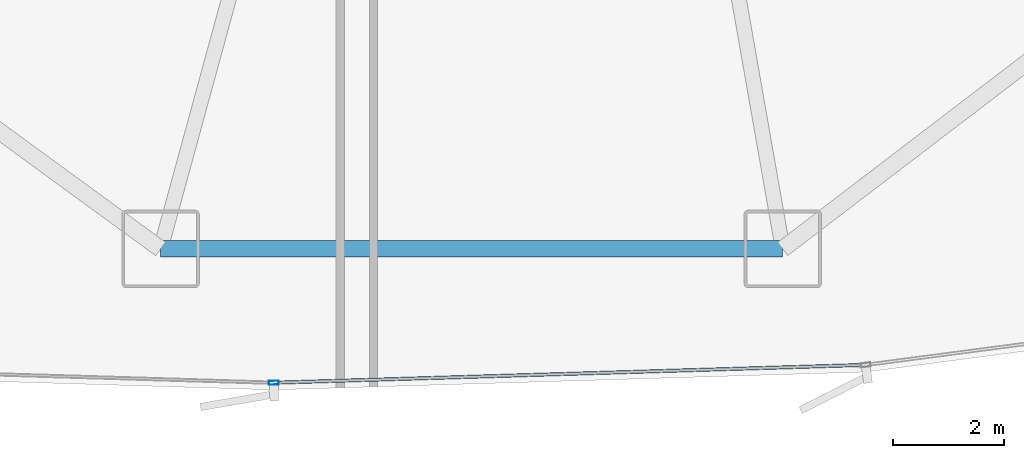
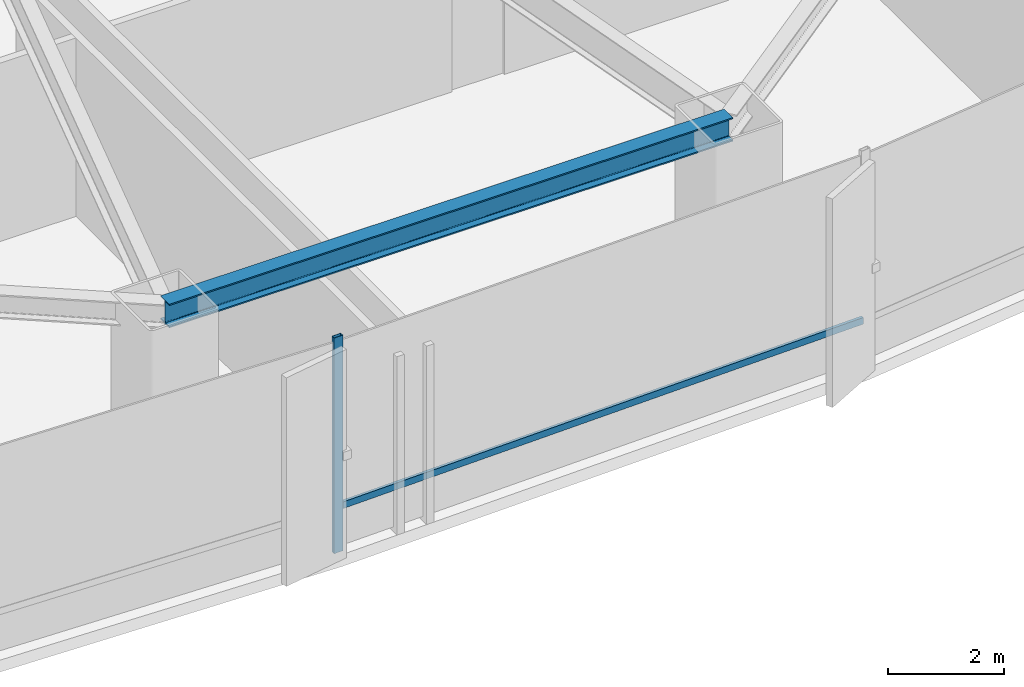
# One storey, part 6 of 34: 2 members, 1 beam, 1 element without a shape of its own.
"""IFC4 building model written with IfcOpenShell, lengths in metres."""

from ifc_helpers import new_model, si_unit, direction, frame, origin, origin_2d, place, context, subcontext, project, spatial, hollow_rectangle, i_section, extrude, source, transform, mapped, material, layer, layer_set, material_profile, profile_set, type_object, element, aggregate, save


model = new_model("IFC4")

# Units and contexts
model_context = context("Model", 3, precision=1e-05, world=origin(), true_north=direction((0.0, 1.0)))
body_context = subcontext(model_context, "Body", "Model", "MODEL_VIEW")
ifc_project = project(units=[si_unit("LENGTHUNIT", "METRE"), si_unit("AREAUNIT", "SQUARE_METRE"), si_unit("VOLUMEUNIT", "CUBIC_METRE"), si_unit("PLANEANGLEUNIT", "RADIAN"), si_unit("MASSUNIT", "GRAM", prefix="KILO"), si_unit("THERMODYNAMICTEMPERATUREUNIT", "KELVIN")], contexts=[model_context])

# Site, building, storey
site_placement = place(None, origin())
site = spatial("IfcSite", under=ifc_project, at=site_placement, CompositionType="ELEMENT")
building_placement = place(site_placement, origin())
building = spatial("IfcBuilding", under=site, at=building_placement, Name="Kethvar Cultural Tower", CompositionType="ELEMENT")
storey_placement = place(building_placement, frame((0.0, 0.0, 5.199951171875)))
storey = spatial("IfcBuildingStorey", under=building, at=storey_placement, Name="L01", CompositionType="ELEMENT", Elevation=5.199951171875)

# Beam
ifc_material_1 = material(Name="Steel S355J2", Category="steel")
ifc_material_profile_1 = material_profile(ifc_material_1, i_section(OverallWidth=0.300048828125, OverallDepth=0.5, WebThickness=0.014404296875, FlangeThickness=0.028076171875, FilletRadius=0.027099609375, at=origin_2d()), Name="Steel S355J2 — HEB500")
ifc_profile_set_1 = profile_set([ifc_material_profile_1], Name="Steel S355J2 — HEB500")
beam_type = type_object("IfcBeamType", Name="BM-SP500", PredefinedType="SPANDREL", material=ifc_profile_set_1)
shared_shape_1 = source(origin(), body_context, "Body", "SweptSolid", [
    extrude(i_section(OverallWidth=0.300048828125, OverallDepth=0.5, WebThickness=0.014404296875, FlangeThickness=0.028076171875, FilletRadius=0.027099609375, at=origin_2d()), origin(), (0.0, 0.0, 1.0), 11.25),
])
beam_placement = place(storey_placement, frame((39.949951171875, 2.75, 4.298095703125), z_axis=(1.0, 0.0, 0.0), x_axis=(0.0, 1.0, 0.0)))
element("IfcBeam", 1, at=beam_placement, inside=storey, type_object=beam_type, Name="L01 Podium Ring Beam 12", PredefinedType="SPANDREL", context=body_context, shape_type="MappedRepresentation", body=[
    mapped(shared_shape_1, transform((0.0, 0.0, 0.0), scale=1.0)),
])

# Curtain wall, members
ifc_material_2 = material(Name="Aluminium 6063-T6", Category="aluminium")
ifc_layer = layer(ifc_material_2, 0.179931640625, Name="Aluminium 6063-T6", Category="aluminium")
ifc_layer_set = layer_set([ifc_layer], Name="Aluminium 6063-T6 (180 mm)")
curtain_wall_type = type_object("IfcCurtainWallType", Name="CW-SYS-01-POD", PredefinedType="NOTDEFINED", material=ifc_layer_set)
curtain_wall_placement = place(storey_placement, origin())
curtain_wall = element("IfcCurtainWall", 2, at=curtain_wall_placement, inside=storey, type_object=curtain_wall_type, Name="L01 Curtain Wall Run 05", PredefinedType="NOTDEFINED")
ifc_material_profile_2 = material_profile(ifc_material_2, hollow_rectangle(XDim=0.06005859375, YDim=0.139892578125, WallThickness=0.0048828125, at=origin_2d()), Name="Aluminium 6063-T6 — RHS140x60x5")
ifc_profile_set_2 = profile_set([ifc_material_profile_2], Name="Aluminium 6063-T6 — RHS140x60x5")
member_type_1 = type_object("IfcMemberType", Name="CW-SYS-01-POD-TRN", PredefinedType="USERDEFINED", material=ifc_profile_set_2)
shared_shape_2 = source(origin(), body_context, "Body", "SweptSolid", [
    extrude(hollow_rectangle(XDim=0.06005859375, YDim=0.139892578125, WallThickness=0.0048828125, at=origin_2d()), origin(), (0.0, 0.0, 1.0), 10.61279296875),
])
member_1_placement = place(storey_placement, frame((42.050048828125, 0.33154296875, 0.949951171875), z_axis=(0.999545810513, 0.030135903608, 0.0), x_axis=(-0.030135903608, 0.999545810513, 0.0)))
member_1 = element("IfcMember", 3, at=member_1_placement, type_object=member_type_1, Name="CW-L01-R05 Transom 2", ObjectType="TRANSOM", PredefinedType="USERDEFINED", context=body_context, shape_type="MappedRepresentation", body=[
    mapped(shared_shape_2, transform((0.0, 0.0, 0.0), scale=1.0)),
])
ifc_material_profile_3 = material_profile(ifc_material_2, hollow_rectangle(XDim=0.074951171875, YDim=0.179931640625, WallThickness=0.006103515625, at=origin_2d()), Name="Aluminium 6063-T6 — RHS180x75x6")
ifc_profile_set_3 = profile_set([ifc_material_profile_3], Name="Aluminium 6063-T6 — RHS180x75x6")
member_type_2 = type_object("IfcMemberType", Name="CW-SYS-01-POD-MUL", PredefinedType="MULLION", material=ifc_profile_set_3)
shared_shape_3 = source(origin(), body_context, "Body", "SweptSolid", [
    extrude(hollow_rectangle(XDim=0.074951171875, YDim=0.179931640625, WallThickness=0.006103515625, at=origin_2d()), origin(), (0.0, 0.0, 1.0), 4.550048828125),
])
member_2_placement = place(storey_placement, frame((41.99609375, 0.329833984375, 0.0), z_axis=(0.0, 0.0, 1.0), x_axis=(-0.030137272261, 0.999545769248, 0.0)))
member_2 = element("IfcMember", 4, at=member_2_placement, type_object=member_type_2, Name="CW-L01-R05 Mullion 2", PredefinedType="MULLION", context=body_context, shape_type="MappedRepresentation", body=[
    mapped(shared_shape_3, transform((0.0, 0.0, 0.0), scale=1.0)),
])
aggregate(curtain_wall, [member_2, member_1])

save(model, "model.ifc")
